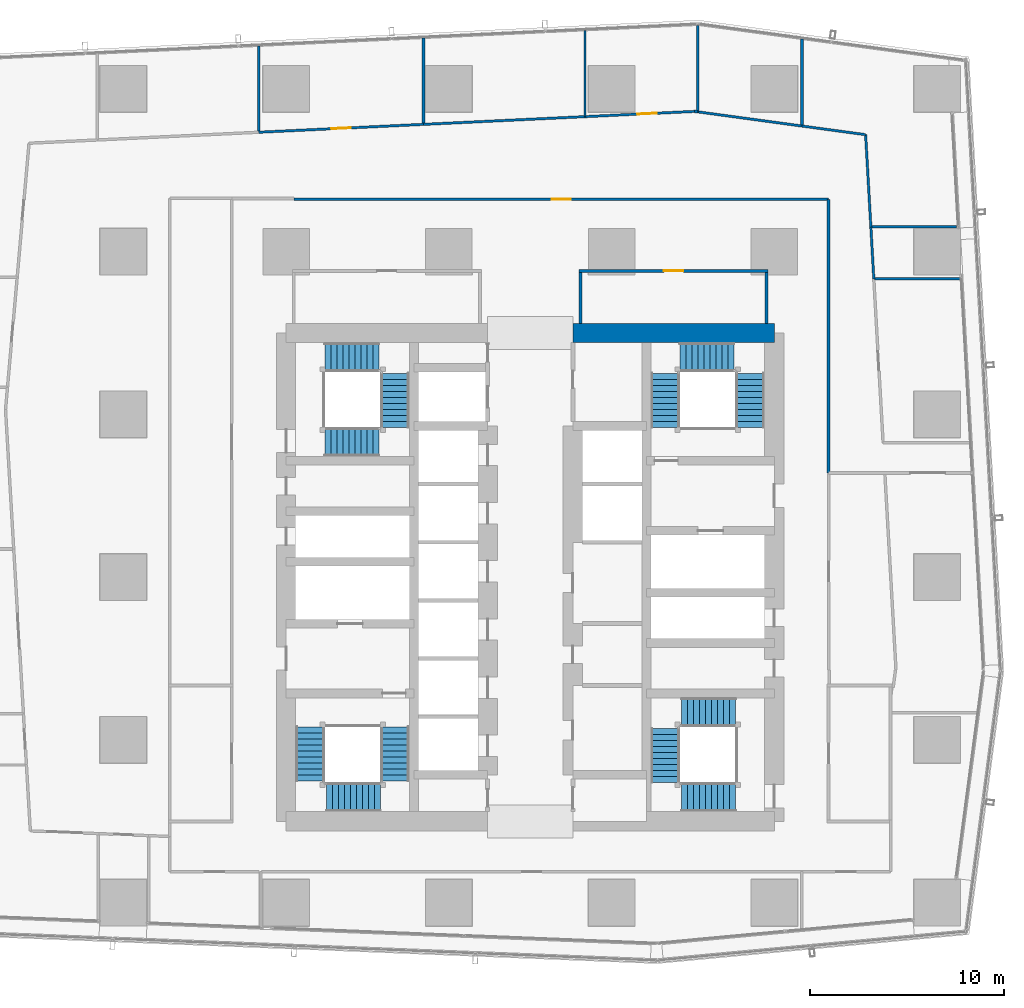
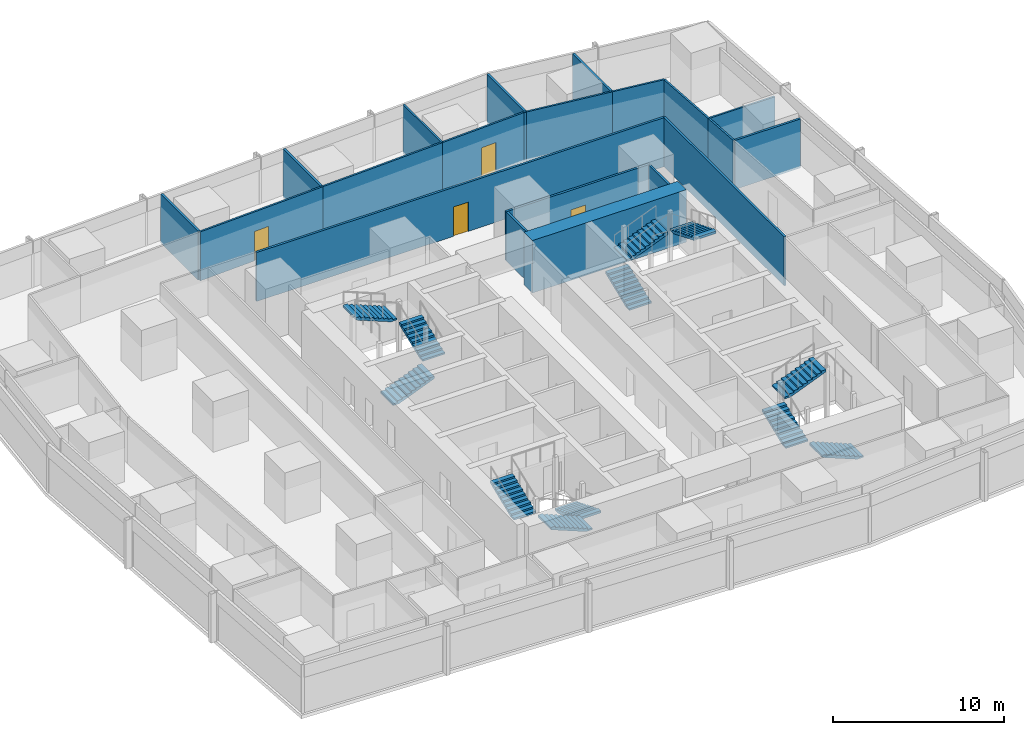
# One storey, part 27 of 37: 21 walls, 12 stair flights, 4 doors, 4 openings, 4 elements without a shape of their own.
"""IFC4 building model written with IfcOpenShell, lengths in metres."""

from ifc_helpers import new_model, si_unit, direction, frame, frame_2d, origin, place, context, subcontext, project, spatial, polyline, rectangle, outline, extrude, material, layer, layer_set, type_object, element, fill, aggregate, save


model = new_model("IFC4")

# Units and contexts
model_context = context("Model", 3, precision=1e-05, world=origin(), true_north=direction((0.0, 1.0)))
body_context = subcontext(model_context, "Body", "Model", "MODEL_VIEW")
ifc_project = project(units=[si_unit("LENGTHUNIT", "METRE"), si_unit("AREAUNIT", "SQUARE_METRE"), si_unit("VOLUMEUNIT", "CUBIC_METRE"), si_unit("PLANEANGLEUNIT", "RADIAN"), si_unit("MASSUNIT", "GRAM", prefix="KILO")], contexts=[model_context])

# Site, building, storey
site_placement = place(None, origin())
site = spatial("IfcSite", under=ifc_project, at=site_placement, CompositionType="ELEMENT")
building_placement = place(site_placement, origin())
building = spatial("IfcBuilding", under=site, at=building_placement, Name="Rekha Terrace Tower", CompositionType="ELEMENT")
storey_placement = place(building_placement, frame((0.0, 0.0, 228.949951171875)))
storey = spatial("IfcBuildingStorey", under=building, at=storey_placement, Name="L58", CompositionType="ELEMENT", Elevation=228.949951171875)

# Wall
ifc_material_1 = material(Name="Concrete M60", Category="concrete")
ifc_layer_1 = layer(ifc_material_1, 1.0)
ifc_layer_set_1 = layer_set([ifc_layer_1], Name="Concrete M60")
wall_type_1 = type_object("IfcWallType", Name="SW3 1000 core outer shear wall", PredefinedType="SHEAR", material=ifc_layer_set_1)
wall_1_placement = place(storey_placement, frame((40.0, 46.199951171875, 0.0), z_axis=(0.0, 0.0, 1.0), x_axis=(1.0, 0.0, 0.0)))
element("IfcWall", 1, at=wall_1_placement, inside=storey, type_object=wall_type_1, Name="Core wall N2 L58", PredefinedType="SHEAR", context=body_context, shape_type="SweptSolid", body=[
    extrude(rectangle(XDim=10.39990234375, YDim=1.0, at=frame_2d((5.199951171875, 0.0))), origin(), (0.0, 0.0, 1.0), 3.75),
])

# Wall, opening, door
ifc_material_2 = material(Name="Concrete block masonry, 1 hour", Category="masonry")
ifc_layer_2 = layer(ifc_material_2, 0.14990234375)
ifc_layer_set_2 = layer_set([ifc_layer_2], Name="Concrete block masonry, 1 hour")
wall_type_2 = type_object("IfcWallType", Name="WP2 150 tenancy partition", PredefinedType="PARTITIONING", material=ifc_layer_set_2)
wall_2_placement = place(storey_placement, frame((40.324951171875, 49.39990234375, 0.0), z_axis=(0.0, 0.0, 1.0), x_axis=(1.0, 0.0, 0.0)))
wall_2 = element("IfcWall", 2, at=wall_2_placement, inside=storey, type_object=wall_type_2, Name="Women's WC wall L58", PredefinedType="PARTITIONING", context=body_context, shape_type="SweptSolid", body=[
    extrude(rectangle(XDim=9.75, YDim=0.14990234375, at=frame_2d((4.875, 0.0))), origin(), (0.0, 0.0, 1.0), 3.5),
])
opening_1_placement = place(wall_2_placement, frame((4.375, 0.0, 0.0)))
opening_1 = element("IfcOpeningElement", 3, at=opening_1_placement, cuts=wall_2, Name="Opening D3", PredefinedType="OPENING", context=body_context, shape_type="SweptSolid", body=[
    extrude(rectangle(XDim=1.0, YDim=2.10009765625, at=frame_2d((0.5, 1.050048828125))), frame((0.0, 0.0849609375, 0.0), z_axis=(0.0, -1.0, 0.0), x_axis=(1.0, 0.0, 0.0)), (0.0, 0.0, 1.0), 0.169921875),
])
ifc_material_3 = material(Name="Laminated timber fire door", Category="wood")
door_type_1 = type_object("IfcDoorType", Name="D3 1000x2100 WC door", OperationType="SINGLE_SWING_LEFT", PredefinedType="DOOR", material=ifc_material_3)
door_1_placement = place(opening_1_placement, origin())
door_1 = element("IfcDoor", 4, at=door_1_placement, inside=storey, type_object=door_type_1, Name="Door women's wc L58", OperationType="SINGLE_SWING_LEFT", OverallHeight=2.10009765625, OverallWidth=1.0, PredefinedType="DOOR", context=body_context, shape_type="SweptSolid", body=[
    extrude(rectangle(XDim=1.0, YDim=2.10009765625, at=frame_2d((0.5, 1.050048828125))), frame((0.0, 0.02490234375, 0.0), z_axis=(0.0, -1.0, 0.0), x_axis=(1.0, 0.0, 0.0)), (0.0, 0.0, 1.0), 0.050048828125),
])
fill(opening_1, door_1)

# Walls
for number, where, z_axis, x_axis, name in (
    (5, (40.39990234375, 46.699951171875, 0.0), (0.0, 0.0, 1.0), (0.0, 1.0, 0.0), "Women's WC wall L58"),
    (6, (50.0, 46.699951171875, 0.0), (0.0, 0.0, 1.0), (0.0, 1.0, 0.0), "Women's WC wall L58"),
):
    element("IfcWall", number, at=place(storey_placement, frame(where, z_axis=z_axis, x_axis=x_axis)), inside=storey, type_object=wall_type_2, Name=name, PredefinedType="PARTITIONING", context=body_context, shape_type="SweptSolid", body=[
        extrude(rectangle(XDim=2.625, YDim=0.14990234375, at=frame_2d((1.3125, 0.0))), origin(), (0.0, 0.0, 1.0), 3.5),
    ])
for number, where, z_axis, x_axis, name in (
    (7, (23.79296875, 56.6220703125, 0.0), (0.0, 0.0, 1.0), (0.0, 1.0, 0.0), "Partition L58-O1"),
    (8, (32.300048828125, 57.028076171875, 0.0), (0.0, 0.0, 1.0), (0.0, 1.0, 0.0), "Partition L58-O1"),
):
    element("IfcWall", number, at=place(storey_placement, frame(where, z_axis=z_axis, x_axis=x_axis)), inside=storey, type_object=wall_type_2, Name=name, PredefinedType="PARTITIONING", context=body_context, shape_type="SweptSolid", body=[
        extrude(rectangle(XDim=4.392822265625, YDim=0.14990234375, at=frame_2d((2.1962890625, 0.0))), origin(), (0.0, 0.0, 1.0), 3.5),
    ])
wall_3_placement = place(storey_placement, frame((46.281005859375, 57.634033203125, 0.0), z_axis=(0.0, 0.0, 1.0), x_axis=(0.991045565988, -0.133524103202, 0.0)))
element("IfcWall", 9, at=wall_3_placement, inside=storey, type_object=wall_type_2, Name="Partition L58-O1", PredefinedType="PARTITIONING", context=body_context, shape_type="SweptSolid", body=[
    extrude(rectangle(XDim=0.16455078125, YDim=0.14990234375, at=frame_2d((0.082275390625, 0.0))), origin(), (0.0, 0.0, 1.0), 3.5),
])
wall_4_placement = place(storey_placement, frame((46.444091796875, 57.612060546875, 0.0), z_axis=(0.0, 0.0, 1.0), x_axis=(0.0, 1.0, 0.0)))
element("IfcWall", 10, at=wall_4_placement, inside=storey, type_object=wall_type_2, Name="Partition L58-O1", PredefinedType="PARTITIONING", context=body_context, shape_type="SweptSolid", body=[
    extrude(rectangle(XDim=4.454833984375, YDim=0.14990234375, at=frame_2d((2.2275390625, 0.0))), origin(), (0.0, 0.0, 1.0), 3.5),
])
wall_5_placement = place(storey_placement, frame((51.827880859375, 56.94189453125, 0.0), z_axis=(0.0, 0.0, 1.0), x_axis=(0.0, 1.0, 0.0)))
element("IfcWall", 11, at=wall_5_placement, inside=storey, type_object=wall_type_2, Name="Partition L58-O1", PredefinedType="PARTITIONING", context=body_context, shape_type="SweptSolid", body=[
    extrude(rectangle(XDim=4.42919921875, YDim=0.14990234375, at=frame_2d((2.214599609375, 0.0))), origin(), (0.0, 0.0, 1.0), 3.5),
])
wall_6_placement = place(storey_placement, frame((55.56591796875, 48.998046875, 0.0), z_axis=(0.0, 0.0, 1.0), x_axis=(1.0, 0.0, 0.0)))
element("IfcWall", 12, at=wall_6_placement, inside=storey, type_object=wall_type_2, Name="Partition L58-O1", PredefinedType="PARTITIONING", context=body_context, shape_type="SweptSolid", body=[
    extrude(rectangle(XDim=4.422119140625, YDim=0.14990234375, at=frame_2d((2.2109375, 0.0))), origin(), (0.0, 0.0, 1.0), 3.5),
])
wall_7_placement = place(storey_placement, frame((53.199951171875, 38.98095703125, 0.0), z_axis=(0.0, 0.0, 1.0), x_axis=(0.0, 1.0, 0.0)))
element("IfcWall", 13, at=wall_7_placement, inside=storey, type_object=wall_type_2, Name="Partition L58-O1", PredefinedType="PARTITIONING", context=body_context, shape_type="SweptSolid", body=[
    extrude(rectangle(XDim=14.119140625, YDim=0.14990234375, at=frame_2d((7.0595703125, 0.0))), origin(), (0.0, 0.0, 1.0), 3.5),
])

# Wall, opening, door
wall_8_placement = place(storey_placement, frame((53.199951171875, 53.10009765625, 0.0), z_axis=(0.0, 0.0, 1.0), x_axis=(-1.0, 0.0, 0.0)))
wall_8 = element("IfcWall", 14, at=wall_8_placement, inside=storey, type_object=wall_type_2, Name="Partition L58-O1", PredefinedType="PARTITIONING", context=body_context, shape_type="SweptSolid", body=[
    extrude(rectangle(XDim=27.599853515625, YDim=0.14990234375, at=frame_2d((13.7998046875, 0.0))), origin(), (0.0, 0.0, 1.0), 3.5),
])
opening_2_placement = place(wall_8_placement, frame((13.300048828125, 0.0, 0.0)))
opening_2 = element("IfcOpeningElement", 15, at=opening_2_placement, cuts=wall_8, Name="Opening D9", PredefinedType="OPENING", context=body_context, shape_type="SweptSolid", body=[
    extrude(rectangle(XDim=1.0, YDim=2.10009765625, at=frame_2d((0.5, 1.050048828125))), frame((0.0, 0.0849609375, 0.0), z_axis=(0.0, -1.0, 0.0), x_axis=(1.0, 0.0, 0.0)), (0.0, 0.0, 1.0), 0.169921875),
])
ifc_material_4 = material(Name="Timber fire door", Category="wood")
door_type_2 = type_object("IfcDoorType", Name="D9 1000x2100 office door", OperationType="SINGLE_SWING_LEFT", PredefinedType="DOOR", material=ifc_material_4)
door_2_placement = place(opening_2_placement, origin())
door_2 = element("IfcDoor", 16, at=door_2_placement, inside=storey, type_object=door_type_2, Name="Door open-plan office L58", OperationType="SINGLE_SWING_LEFT", OverallHeight=2.10009765625, OverallWidth=1.0, PredefinedType="DOOR", context=body_context, shape_type="SweptSolid", body=[
    extrude(rectangle(XDim=1.0, YDim=2.10009765625, at=frame_2d((0.5, 1.050048828125))), frame((0.0, 0.02490234375, 0.0), z_axis=(0.0, -1.0, 0.0), x_axis=(1.0, 0.0, 0.0)), (0.0, 0.0, 1.0), 0.050048828125),
])
fill(opening_2, door_2)

# Walls
ifc_material_5 = material(Name="Two layers of fire-rated gypsum board each side on steel studs, acoustic quilt, 1 hour", Category="steel")
ifc_layer_3 = layer(ifc_material_5, 0.125)
ifc_layer_set_3 = layer_set([ifc_layer_3], Name="Two layers of fire-rated gypsum board each side on steel studs, acoustic quilt, 1 hour")
wall_type_3 = type_object("IfcWallType", Name="WP3 125 office partition", PredefinedType="PARTITIONING", material=ifc_layer_set_3)
wall_9_placement = place(storey_placement, frame((55.44091796875, 51.693115234375, 0.0), z_axis=(0.0, 0.0, 1.0), x_axis=(1.0, 0.0, 0.0)))
element("IfcWall", 17, at=wall_9_placement, inside=storey, type_object=wall_type_3, Name="Partition L58-05", PredefinedType="PARTITIONING", context=body_context, shape_type="SweptSolid", body=[
    extrude(rectangle(XDim=4.364990234375, YDim=0.125, at=frame_2d((2.1826171875, 0.0))), origin(), (0.0, 0.0, 1.0), 3.5),
])
wall_10_placement = place(storey_placement, frame((55.531005859375, 48.99609375, 0.0), z_axis=(0.0, 0.0, 1.0), x_axis=(-0.056702825143, 0.998391100532, 0.0)))
element("IfcWall", 18, at=wall_10_placement, inside=storey, type_object=wall_type_3, Name="Partition L58-05", PredefinedType="PARTITIONING", context=body_context, shape_type="SweptSolid", body=[
    extrude(rectangle(XDim=2.665283203125, YDim=0.125, at=frame_2d((1.33251953125, 0.0))), origin(), (0.0, 0.0, 1.0), 3.5),
])

# Wall, opening, door
wall_11_placement = place(storey_placement, frame((46.281005859375, 57.634033203125, 0.0), z_axis=(0.0, 0.0, 1.0), x_axis=(-0.998861197712, -0.04771066658, 0.0)))
wall_11 = element("IfcWall", 19, at=wall_11_placement, inside=storey, type_object=wall_type_3, Name="Partition L58-06", PredefinedType="PARTITIONING", context=body_context, shape_type="SweptSolid", body=[
    extrude(rectangle(XDim=5.659423828125, YDim=0.125, at=frame_2d((2.82958984375, 0.0))), origin(), (0.0, 0.0, 1.0), 3.5),
])
opening_3_placement = place(wall_11_placement, frame((1.947998046875, 0.0, 0.0)))
opening_3 = element("IfcOpeningElement", 20, at=opening_3_placement, cuts=wall_11, Name="Opening D9", PredefinedType="OPENING", context=body_context, shape_type="SweptSolid", body=[
    extrude(rectangle(XDim=1.0, YDim=2.10009765625, at=frame_2d((0.5, 1.050048828125))), frame((0.0, 0.072509765625, 0.0), z_axis=(0.0, -1.0, 0.0), x_axis=(1.0, 0.0, 0.0)), (0.0, 0.0, 1.0), 0.14501953125),
])
door_3_placement = place(opening_3_placement, origin())
door_3 = element("IfcDoor", 21, at=door_3_placement, inside=storey, type_object=door_type_2, Name="Door office L58", OperationType="SINGLE_SWING_LEFT", OverallHeight=2.10009765625, OverallWidth=1.0, PredefinedType="DOOR", context=body_context, shape_type="SweptSolid", body=[
    extrude(rectangle(XDim=1.0, YDim=2.10009765625, at=frame_2d((0.5, 1.050048828125))), frame((0.0, 0.02490234375, 0.0), z_axis=(0.0, -1.0, 0.0), x_axis=(1.0, 0.0, 0.0)), (0.0, 0.0, 1.0), 0.050048828125),
])
fill(opening_3, door_3)

# Walls
wall_12_placement = place(storey_placement, frame((40.6279296875, 57.364013671875, 0.0), z_axis=(0.0, 0.0, 1.0), x_axis=(0.0, 1.0, 0.0)))
element("IfcWall", 22, at=wall_12_placement, inside=storey, type_object=wall_type_3, Name="Partition L58-06", PredefinedType="PARTITIONING", context=body_context, shape_type="SweptSolid", body=[
    extrude(rectangle(XDim=4.4560546875, YDim=0.125, at=frame_2d((2.22802734375, 0.0))), origin(), (0.0, 0.0, 1.0), 3.5),
])
wall_13_placement = place(storey_placement, frame((55.3798828125, 51.657958984375, 0.0), z_axis=(0.0, 0.0, 1.0), x_axis=(-0.056660197754, 0.998393520607, 0.0)))
element("IfcWall", 23, at=wall_13_placement, inside=storey, type_object=wall_type_3, Name="Partition L58-06", PredefinedType="PARTITIONING", context=body_context, shape_type="SweptSolid", body=[
    extrude(rectangle(XDim=4.78271484375, YDim=0.125, at=frame_2d((2.391357421875, 0.0))), origin(), (0.0, 0.0, 1.0), 3.5),
])
wall_14_placement = place(storey_placement, frame((55.10888671875, 56.43310546875, 0.0), z_axis=(0.0, 0.0, 1.0), x_axis=(-0.990883070751, 0.134724682591, 0.0)))
element("IfcWall", 24, at=wall_14_placement, inside=storey, type_object=wall_type_3, Name="Partition L58-06", PredefinedType="PARTITIONING", context=body_context, shape_type="SweptSolid", body=[
    extrude(rectangle(XDim=3.30908203125, YDim=0.125, at=frame_2d((1.654541015625, 0.0))), origin(), (0.0, 0.0, 1.0), 3.5),
])
wall_15_placement = place(storey_placement, frame((51.830078125, 56.87890625, 0.0), z_axis=(0.0, 0.0, 1.0), x_axis=(-0.990858848798, 0.134902712198, 0.0)))
element("IfcWall", 25, at=wall_15_placement, inside=storey, type_object=wall_type_3, Name="Partition L58-06", PredefinedType="PARTITIONING", context=body_context, shape_type="SweptSolid", body=[
    extrude(rectangle(XDim=5.4345703125, YDim=0.125, at=frame_2d((2.71728515625, 0.0))), origin(), (0.0, 0.0, 1.0), 3.5),
])
wall_16_placement = place(storey_placement, frame((40.626953125, 57.364013671875, 0.0), z_axis=(0.0, 0.0, 1.0), x_axis=(-0.998859439246, -0.047747467256, 0.0)))
element("IfcWall", 26, at=wall_16_placement, inside=storey, type_object=wall_type_3, Name="Partition L58-07", PredefinedType="PARTITIONING", context=body_context, shape_type="SweptSolid", body=[
    extrude(rectangle(XDim=8.33447265625, YDim=0.125, at=frame_2d((4.167236328125, 0.0))), origin(), (0.0, 0.0, 1.0), 3.5),
])

# Wall, opening, door
wall_17_placement = place(storey_placement, frame((32.302001953125, 56.966064453125, 0.0), z_axis=(0.0, 0.0, 1.0), x_axis=(-0.998858391998, -0.047769370269, 0.0)))
wall_17 = element("IfcWall", 27, at=wall_17_placement, inside=storey, type_object=wall_type_3, Name="Partition L58-07", PredefinedType="PARTITIONING", context=body_context, shape_type="SweptSolid", body=[
    extrude(rectangle(XDim=8.519775390625, YDim=0.125, at=frame_2d((4.259765625, 0.0))), origin(), (0.0, 0.0, 1.0), 3.5),
])
opening_4_placement = place(wall_17_placement, frame((3.760009765625, 0.0, 0.0)))
opening_4 = element("IfcOpeningElement", 28, at=opening_4_placement, cuts=wall_17, Name="Opening D9", PredefinedType="OPENING", context=body_context, shape_type="SweptSolid", body=[
    extrude(rectangle(XDim=1.0, YDim=2.10009765625, at=frame_2d((0.5, 1.050048828125))), frame((0.0, 0.072509765625, 0.0), z_axis=(0.0, -1.0, 0.0), x_axis=(1.0, 0.0, 0.0)), (0.0, 0.0, 1.0), 0.14501953125),
])
door_4_placement = place(opening_4_placement, origin())
door_4 = element("IfcDoor", 29, at=door_4_placement, inside=storey, type_object=door_type_2, Name="Door office L58", OperationType="SINGLE_SWING_LEFT", OverallHeight=2.10009765625, OverallWidth=1.0, PredefinedType="DOOR", context=body_context, shape_type="SweptSolid", body=[
    extrude(rectangle(XDim=1.0, YDim=2.10009765625, at=frame_2d((0.5, 1.050048828125))), frame((0.0, 0.02490234375, 0.0), z_axis=(0.0, -1.0, 0.0), x_axis=(1.0, 0.0, 0.0)), (0.0, 0.0, 1.0), 0.050048828125),
])
fill(opening_4, door_4)

# Stair, stair flights
ifc_material_6 = material(Name="Concrete M40", Category="concrete")
stair_type = type_object("IfcStairType", Name="ST30 stair, 30 risers of 125, going 310, 1500 wide flights, 3 flights", PredefinedType="HALF_TURN_STAIR", material=ifc_material_6)
stair_1_placement = place(storey_placement, origin())
stair_1 = element("IfcStair", 30, at=stair_1_placement, inside=storey, type_object=stair_type, Name="Stair ST1 L58 to L59", PredefinedType="HALF_TURN_STAIR")
stair_flight_type = type_object("IfcStairFlightType", Name="SF10 stair flight, 10 risers of 125, going 310, 1500 wide", PredefinedType="STRAIGHT", material=ifc_material_6)
stair_flight_1_placement = place(storey_placement, frame((30.824951171875, 25.875, 0.0), z_axis=(0.0, 0.0, 1.0), x_axis=(0.0, -1.0, 0.0)))
stair_flight_1 = element("IfcStairFlight", 31, at=stair_flight_1_placement, type_object=stair_flight_type, Name="ST1 flight 1", NumberOfRisers=10, NumberOfTreads=9, PredefinedType="STRAIGHT", RiserHeight=0.125, TreadLength=0.31, context=body_context, shape_type="SweptSolid", body=[
    extrude(outline(polyline([(0.0, 0.0), (0.0, 0.125), (0.31005859375, 0.125), (0.31005859375, 0.25), (0.6201171875, 0.25), (0.6201171875, 0.375), (0.929931640625, 0.375), (0.929931640625, 0.5), (1.239990234375, 0.5), (1.239990234375, 0.625), (1.550048828125, 0.625), (1.550048828125, 0.75), (1.860107421875, 0.75), (1.860107421875, 0.875), (2.169921875, 0.875), (2.169921875, 1.0), (2.47998046875, 1.0), (2.47998046875, 1.125), (2.7900390625, 1.125), (2.7900390625, 1.25), (2.7900390625, 0.96337890625), (0.40087890625, 0.0), (0.0, 0.0)])), frame((0.0, 0.75, 0.0), z_axis=(0.0, -1.0, 0.0), x_axis=(1.0, 0.0, 0.0)), (0.0, 0.0, 1.0), 1.5),
])
stair_flight_2_placement = place(storey_placement, frame((30.074951171875, 22.25, 1.25), z_axis=(0.0, 0.0, 1.0), x_axis=(-1.0, 0.0, 0.0)))
stair_flight_2 = element("IfcStairFlight", 32, at=stair_flight_2_placement, type_object=stair_flight_type, Name="ST1 flight 2", NumberOfRisers=10, NumberOfTreads=9, PredefinedType="STRAIGHT", RiserHeight=0.125, TreadLength=0.31, context=body_context, shape_type="SweptSolid", body=[
    extrude(outline(polyline([(0.0, 0.0), (0.0, 0.125), (0.31005859375, 0.125), (0.31005859375, 0.25), (0.6201171875, 0.25), (0.6201171875, 0.375), (0.929931640625, 0.375), (0.929931640625, 0.5), (1.239990234375, 0.5), (1.239990234375, 0.625), (1.550048828125, 0.625), (1.550048828125, 0.75), (1.860107421875, 0.75), (1.860107421875, 0.875), (2.169921875, 0.875), (2.169921875, 1.0), (2.47998046875, 1.0), (2.47998046875, 1.125), (2.7900390625, 1.125), (2.7900390625, 1.25), (2.7900390625, 0.96337890625), (0.40087890625, 0.0), (0.0, 0.0)])), frame((0.0, 0.75, 0.0), z_axis=(0.0, -1.0, 0.0), x_axis=(1.0, 0.0, 0.0)), (0.0, 0.0, 1.0), 1.5),
])
stair_flight_3_placement = place(storey_placement, frame((26.449951171875, 23.0849609375, 2.5), z_axis=(0.0, 0.0, 1.0), x_axis=(0.0, 1.0, 0.0)))
stair_flight_3 = element("IfcStairFlight", 33, at=stair_flight_3_placement, type_object=stair_flight_type, Name="ST1 flight 3", NumberOfRisers=10, NumberOfTreads=9, PredefinedType="STRAIGHT", RiserHeight=0.125, TreadLength=0.31, context=body_context, shape_type="SweptSolid", body=[
    extrude(outline(polyline([(0.0, 0.0), (0.0, 0.125), (0.31005859375, 0.125), (0.31005859375, 0.25), (0.6201171875, 0.25), (0.6201171875, 0.375), (0.929931640625, 0.375), (0.929931640625, 0.5), (1.239990234375, 0.5), (1.239990234375, 0.625), (1.550048828125, 0.625), (1.550048828125, 0.75), (1.860107421875, 0.75), (1.860107421875, 0.875), (2.169921875, 0.875), (2.169921875, 1.0), (2.47998046875, 1.0), (2.47998046875, 1.125), (2.7900390625, 1.125), (2.7900390625, 1.25), (2.7900390625, 0.96337890625), (0.40087890625, 0.0), (0.0, 0.0)])), frame((0.0, 0.75, 0.0), z_axis=(0.0, -1.0, 0.0), x_axis=(1.0, 0.0, 0.0)), (0.0, 0.0, 1.0), 1.5),
])
aggregate(stair_1, [stair_flight_1, stair_flight_2, stair_flight_3])

stair_2_placement = place(storey_placement, origin())
stair_2 = element("IfcStair", 34, at=stair_2_placement, inside=storey, type_object=stair_type, Name="Stair ST2 L58 to L59", PredefinedType="HALF_TURN_STAIR")
stair_flight_4_placement = place(storey_placement, frame((44.77490234375, 41.324951171875, 0.0), z_axis=(0.0, 0.0, 1.0), x_axis=(0.0, 1.0, 0.0)))
stair_flight_4 = element("IfcStairFlight", 35, at=stair_flight_4_placement, type_object=stair_flight_type, Name="ST2 flight 1", NumberOfRisers=10, NumberOfTreads=9, PredefinedType="STRAIGHT", RiserHeight=0.125, TreadLength=0.31, context=body_context, shape_type="SweptSolid", body=[
    extrude(outline(polyline([(0.0, 0.0), (0.0, 0.125), (0.31005859375, 0.125), (0.31005859375, 0.25), (0.6201171875, 0.25), (0.6201171875, 0.375), (0.929931640625, 0.375), (0.929931640625, 0.5), (1.239990234375, 0.5), (1.239990234375, 0.625), (1.550048828125, 0.625), (1.550048828125, 0.75), (1.860107421875, 0.75), (1.860107421875, 0.875), (2.169921875, 0.875), (2.169921875, 1.0), (2.47998046875, 1.0), (2.47998046875, 1.125), (2.7900390625, 1.125), (2.7900390625, 1.25), (2.7900390625, 0.96337890625), (0.40087890625, 0.0), (0.0, 0.0)])), frame((0.0, 0.75, 0.0), z_axis=(0.0, -1.0, 0.0), x_axis=(1.0, 0.0, 0.0)), (0.0, 0.0, 1.0), 1.5),
])
stair_flight_5_placement = place(storey_placement, frame((45.52490234375, 44.949951171875, 1.25), z_axis=(0.0, 0.0, 1.0), x_axis=(1.0, 0.0, 0.0)))
stair_flight_5 = element("IfcStairFlight", 36, at=stair_flight_5_placement, type_object=stair_flight_type, Name="ST2 flight 2", NumberOfRisers=10, NumberOfTreads=9, PredefinedType="STRAIGHT", RiserHeight=0.125, TreadLength=0.31, context=body_context, shape_type="SweptSolid", body=[
    extrude(outline(polyline([(0.0, 0.0), (0.0, 0.125), (0.31005859375, 0.125), (0.31005859375, 0.25), (0.6201171875, 0.25), (0.6201171875, 0.375), (0.929931640625, 0.375), (0.929931640625, 0.5), (1.239990234375, 0.5), (1.239990234375, 0.625), (1.550048828125, 0.625), (1.550048828125, 0.75), (1.860107421875, 0.75), (1.860107421875, 0.875), (2.169921875, 0.875), (2.169921875, 1.0), (2.47998046875, 1.0), (2.47998046875, 1.125), (2.7900390625, 1.125), (2.7900390625, 1.25), (2.7900390625, 0.96337890625), (0.40087890625, 0.0), (0.0, 0.0)])), frame((0.0, 0.75, 0.0), z_axis=(0.0, -1.0, 0.0), x_axis=(1.0, 0.0, 0.0)), (0.0, 0.0, 1.0), 1.5),
])
stair_flight_6_placement = place(storey_placement, frame((49.14990234375, 44.114990234375, 2.5), z_axis=(0.0, 0.0, 1.0), x_axis=(0.0, -1.0, 0.0)))
stair_flight_6 = element("IfcStairFlight", 37, at=stair_flight_6_placement, type_object=stair_flight_type, Name="ST2 flight 3", NumberOfRisers=10, NumberOfTreads=9, PredefinedType="STRAIGHT", RiserHeight=0.125, TreadLength=0.31, context=body_context, shape_type="SweptSolid", body=[
    extrude(outline(polyline([(0.0, 0.0), (0.0, 0.125), (0.31005859375, 0.125), (0.31005859375, 0.25), (0.6201171875, 0.25), (0.6201171875, 0.375), (0.929931640625, 0.375), (0.929931640625, 0.5), (1.239990234375, 0.5), (1.239990234375, 0.625), (1.550048828125, 0.625), (1.550048828125, 0.75), (1.860107421875, 0.75), (1.860107421875, 0.875), (2.169921875, 0.875), (2.169921875, 1.0), (2.47998046875, 1.0), (2.47998046875, 1.125), (2.7900390625, 1.125), (2.7900390625, 1.25), (2.7900390625, 0.96337890625), (0.40087890625, 0.0), (0.0, 0.0)])), frame((0.0, 0.75, 0.0), z_axis=(0.0, -1.0, 0.0), x_axis=(1.0, 0.0, 0.0)), (0.0, 0.0, 1.0), 1.5),
])
aggregate(stair_2, [stair_flight_4, stair_flight_5, stair_flight_6])

stair_3_placement = place(storey_placement, origin())
stair_3 = element("IfcStair", 38, at=stair_3_placement, inside=storey, type_object=stair_type, Name="Stair ST3 L58 to L59", PredefinedType="HALF_TURN_STAIR")
stair_flight_7_placement = place(storey_placement, frame((48.39990234375, 22.25, 0.0), z_axis=(0.0, 0.0, 1.0), x_axis=(-1.0, 0.0, 0.0)))
stair_flight_7 = element("IfcStairFlight", 39, at=stair_flight_7_placement, type_object=stair_flight_type, Name="ST3 flight 1", NumberOfRisers=10, NumberOfTreads=9, PredefinedType="STRAIGHT", RiserHeight=0.125, TreadLength=0.31, context=body_context, shape_type="SweptSolid", body=[
    extrude(outline(polyline([(0.0, 0.0), (0.0, 0.125), (0.31005859375, 0.125), (0.31005859375, 0.25), (0.6201171875, 0.25), (0.6201171875, 0.375), (0.929931640625, 0.375), (0.929931640625, 0.5), (1.239990234375, 0.5), (1.239990234375, 0.625), (1.550048828125, 0.625), (1.550048828125, 0.75), (1.860107421875, 0.75), (1.860107421875, 0.875), (2.169921875, 0.875), (2.169921875, 1.0), (2.47998046875, 1.0), (2.47998046875, 1.125), (2.7900390625, 1.125), (2.7900390625, 1.25), (2.7900390625, 0.96337890625), (0.40087890625, 0.0), (0.0, 0.0)])), frame((0.0, 0.75, 0.0), z_axis=(0.0, -1.0, 0.0), x_axis=(1.0, 0.0, 0.0)), (0.0, 0.0, 1.0), 1.5),
])
stair_flight_8_placement = place(storey_placement, frame((44.77490234375, 23.0, 1.25), z_axis=(0.0, 0.0, 1.0), x_axis=(0.0, 1.0, 0.0)))
stair_flight_8 = element("IfcStairFlight", 40, at=stair_flight_8_placement, type_object=stair_flight_type, Name="ST3 flight 2", NumberOfRisers=10, NumberOfTreads=9, PredefinedType="STRAIGHT", RiserHeight=0.125, TreadLength=0.31, context=body_context, shape_type="SweptSolid", body=[
    extrude(outline(polyline([(0.0, 0.0), (0.0, 0.125), (0.31005859375, 0.125), (0.31005859375, 0.25), (0.6201171875, 0.25), (0.6201171875, 0.375), (0.929931640625, 0.375), (0.929931640625, 0.5), (1.239990234375, 0.5), (1.239990234375, 0.625), (1.550048828125, 0.625), (1.550048828125, 0.75), (1.860107421875, 0.75), (1.860107421875, 0.875), (2.169921875, 0.875), (2.169921875, 1.0), (2.47998046875, 1.0), (2.47998046875, 1.125), (2.7900390625, 1.125), (2.7900390625, 1.25), (2.7900390625, 0.96337890625), (0.40087890625, 0.0), (0.0, 0.0)])), frame((0.0, 0.75, 0.0), z_axis=(0.0, -1.0, 0.0), x_axis=(1.0, 0.0, 0.0)), (0.0, 0.0, 1.0), 1.5),
])
stair_flight_9_placement = place(storey_placement, frame((45.610107421875, 26.625, 2.5), z_axis=(0.0, 0.0, 1.0), x_axis=(1.0, 0.0, 0.0)))
stair_flight_9 = element("IfcStairFlight", 41, at=stair_flight_9_placement, type_object=stair_flight_type, Name="ST3 flight 3", NumberOfRisers=10, NumberOfTreads=9, PredefinedType="STRAIGHT", RiserHeight=0.125, TreadLength=0.31, context=body_context, shape_type="SweptSolid", body=[
    extrude(outline(polyline([(0.0, 0.0), (0.0, 0.125), (0.31005859375, 0.125), (0.31005859375, 0.25), (0.6201171875, 0.25), (0.6201171875, 0.375), (0.929931640625, 0.375), (0.929931640625, 0.5), (1.239990234375, 0.5), (1.239990234375, 0.625), (1.550048828125, 0.625), (1.550048828125, 0.75), (1.860107421875, 0.75), (1.860107421875, 0.875), (2.169921875, 0.875), (2.169921875, 1.0), (2.47998046875, 1.0), (2.47998046875, 1.125), (2.7900390625, 1.125), (2.7900390625, 1.25), (2.7900390625, 0.96337890625), (0.40087890625, 0.0), (0.0, 0.0)])), frame((0.0, 0.75, 0.0), z_axis=(0.0, -1.0, 0.0), x_axis=(1.0, 0.0, 0.0)), (0.0, 0.0, 1.0), 1.5),
])
aggregate(stair_3, [stair_flight_7, stair_flight_8, stair_flight_9])

stair_4_placement = place(storey_placement, origin())
stair_4 = element("IfcStair", 42, at=stair_4_placement, inside=storey, type_object=stair_type, Name="Stair ST4 L58 to L59", PredefinedType="HALF_TURN_STAIR")
stair_flight_10_placement = place(storey_placement, frame((27.199951171875, 40.574951171875, 0.0), z_axis=(0.0, 0.0, 1.0), x_axis=(1.0, 0.0, 0.0)))
stair_flight_10 = element("IfcStairFlight", 43, at=stair_flight_10_placement, type_object=stair_flight_type, Name="ST4 flight 1", NumberOfRisers=10, NumberOfTreads=9, PredefinedType="STRAIGHT", RiserHeight=0.125, TreadLength=0.31, context=body_context, shape_type="SweptSolid", body=[
    extrude(outline(polyline([(0.0, 0.0), (0.0, 0.125), (0.31005859375, 0.125), (0.31005859375, 0.25), (0.6201171875, 0.25), (0.6201171875, 0.375), (0.929931640625, 0.375), (0.929931640625, 0.5), (1.239990234375, 0.5), (1.239990234375, 0.625), (1.550048828125, 0.625), (1.550048828125, 0.75), (1.860107421875, 0.75), (1.860107421875, 0.875), (2.169921875, 0.875), (2.169921875, 1.0), (2.47998046875, 1.0), (2.47998046875, 1.125), (2.7900390625, 1.125), (2.7900390625, 1.25), (2.7900390625, 0.96337890625), (0.40087890625, 0.0), (0.0, 0.0)])), frame((0.0, 0.75, 0.0), z_axis=(0.0, -1.0, 0.0), x_axis=(1.0, 0.0, 0.0)), (0.0, 0.0, 1.0), 1.5),
])
stair_flight_11_placement = place(storey_placement, frame((30.824951171875, 41.324951171875, 1.25), z_axis=(0.0, 0.0, 1.0), x_axis=(0.0, 1.0, 0.0)))
stair_flight_11 = element("IfcStairFlight", 44, at=stair_flight_11_placement, type_object=stair_flight_type, Name="ST4 flight 2", NumberOfRisers=10, NumberOfTreads=9, PredefinedType="STRAIGHT", RiserHeight=0.125, TreadLength=0.31, context=body_context, shape_type="SweptSolid", body=[
    extrude(outline(polyline([(0.0, 0.0), (0.0, 0.125), (0.31005859375, 0.125), (0.31005859375, 0.25), (0.6201171875, 0.25), (0.6201171875, 0.375), (0.929931640625, 0.375), (0.929931640625, 0.5), (1.239990234375, 0.5), (1.239990234375, 0.625), (1.550048828125, 0.625), (1.550048828125, 0.75), (1.860107421875, 0.75), (1.860107421875, 0.875), (2.169921875, 0.875), (2.169921875, 1.0), (2.47998046875, 1.0), (2.47998046875, 1.125), (2.7900390625, 1.125), (2.7900390625, 1.25), (2.7900390625, 0.96337890625), (0.40087890625, 0.0), (0.0, 0.0)])), frame((0.0, 0.75, 0.0), z_axis=(0.0, -1.0, 0.0), x_axis=(1.0, 0.0, 0.0)), (0.0, 0.0, 1.0), 1.5),
])
stair_flight_12_placement = place(storey_placement, frame((29.989990234375, 44.949951171875, 2.5), z_axis=(0.0, 0.0, 1.0), x_axis=(-1.0, 0.0, 0.0)))
stair_flight_12 = element("IfcStairFlight", 45, at=stair_flight_12_placement, type_object=stair_flight_type, Name="ST4 flight 3", NumberOfRisers=10, NumberOfTreads=9, PredefinedType="STRAIGHT", RiserHeight=0.125, TreadLength=0.31, context=body_context, shape_type="SweptSolid", body=[
    extrude(outline(polyline([(0.0, 0.0), (0.0, 0.125), (0.31005859375, 0.125), (0.31005859375, 0.25), (0.6201171875, 0.25), (0.6201171875, 0.375), (0.929931640625, 0.375), (0.929931640625, 0.5), (1.239990234375, 0.5), (1.239990234375, 0.625), (1.550048828125, 0.625), (1.550048828125, 0.75), (1.860107421875, 0.75), (1.860107421875, 0.875), (2.169921875, 0.875), (2.169921875, 1.0), (2.47998046875, 1.0), (2.47998046875, 1.125), (2.7900390625, 1.125), (2.7900390625, 1.25), (2.7900390625, 0.96337890625), (0.40087890625, 0.0), (0.0, 0.0)])), frame((0.0, 0.75, 0.0), z_axis=(0.0, -1.0, 0.0), x_axis=(1.0, 0.0, 0.0)), (0.0, 0.0, 1.0), 1.5),
])
aggregate(stair_4, [stair_flight_10, stair_flight_11, stair_flight_12])

save(model, "model.ifc")
